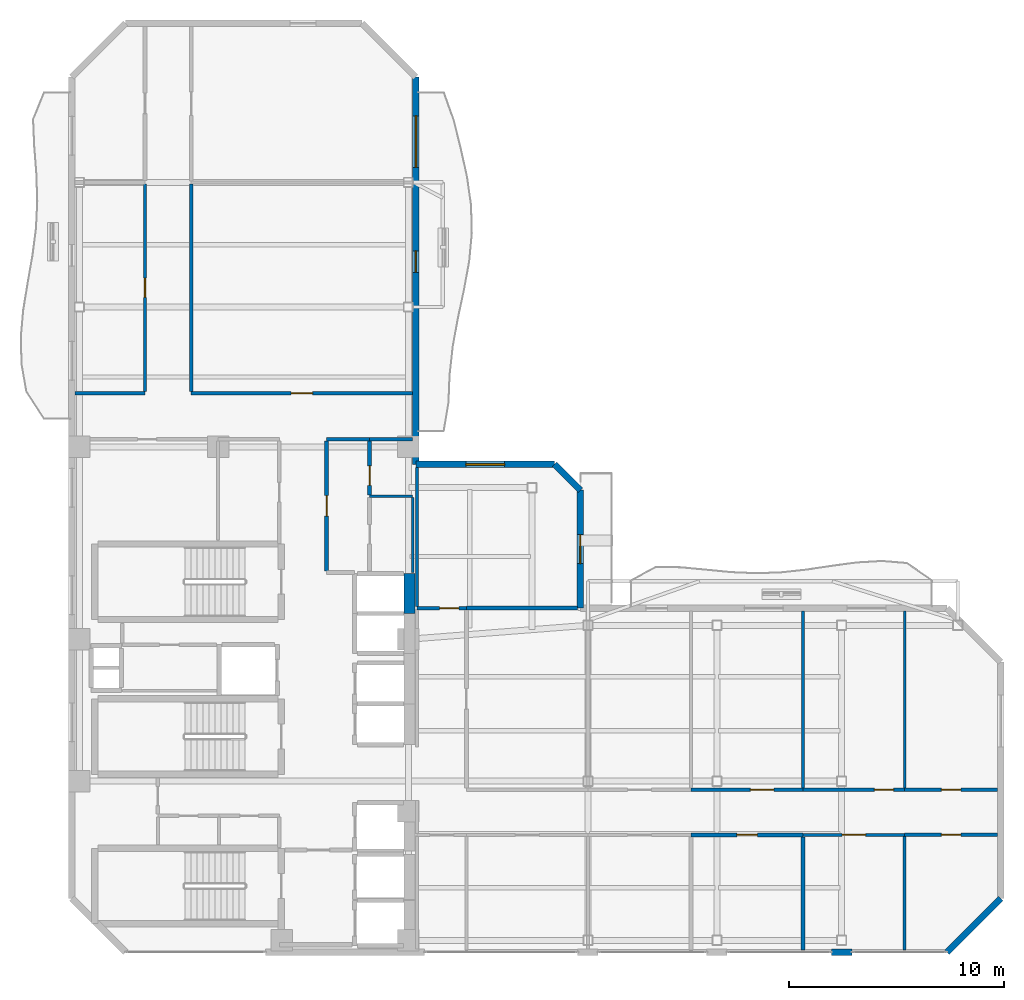
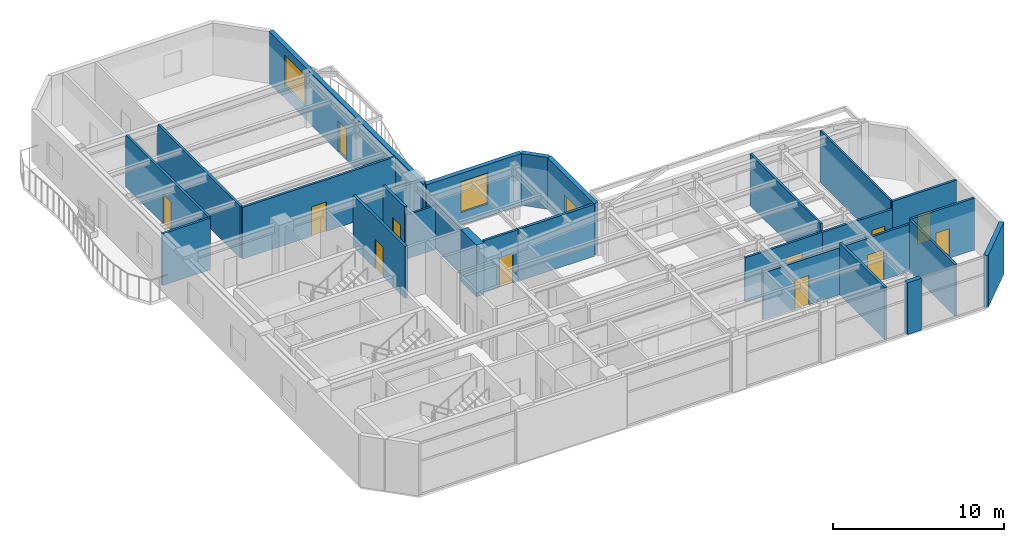
# One storey, part 11 of 15: 30 walls, 13 doors, 2 windows, 15 openings.
"""IFC4 building model written with IfcOpenShell, lengths in metres."""

from ifc_helpers import new_model, si_unit, direction, frame, frame_2d, origin, place, context, subcontext, project, spatial, rectangle, extrude, material, layer, layer_set, type_object, element, fill, save


model = new_model("IFC4")

# Units and contexts
model_context = context("Model", 3, precision=1e-05, world=origin(), true_north=direction((0.0, 1.0)))
body_context = subcontext(model_context, "Body", "Model", "MODEL_VIEW")
ifc_project = project(units=[si_unit("LENGTHUNIT", "METRE"), si_unit("AREAUNIT", "SQUARE_METRE"), si_unit("VOLUMEUNIT", "CUBIC_METRE"), si_unit("PLANEANGLEUNIT", "RADIAN"), si_unit("MASSUNIT", "GRAM", prefix="KILO")], contexts=[model_context])

# Site, building, storey
site_placement = place(None, origin())
site = spatial("IfcSite", under=ifc_project, at=site_placement, CompositionType="ELEMENT")
building_placement = place(site_placement, origin())
building = spatial("IfcBuilding", under=site, at=building_placement, Name="Mawjaban Terraces University", CompositionType="ELEMENT")
storey_placement = place(building_placement, frame((0.0, 0.0, 207.0)))
storey = spatial("IfcBuildingStorey", under=building, at=storey_placement, Name="L50", CompositionType="ELEMENT", Elevation=207.0)

# Walls
ifc_material_1 = material(Name="Acoustic masonry blockwork", Category="masonry")
ifc_layer_1 = layer(ifc_material_1, 0.179931640625)
ifc_layer_set_1 = layer_set([ifc_layer_1], Name="Acoustic masonry blockwork")
wall_type_1 = type_object("IfcWallType", Name="AcousticStudioWall_180", PredefinedType="PARTITIONING", material=ifc_layer_set_1)
wall_1_placement = place(storey_placement, frame((35.85009765625, 23.85009765625, 0.0), z_axis=(0.0, 0.0, 1.0), x_axis=(-1.0, 0.0, 0.0)))
element("IfcWall", 1, at=wall_1_placement, inside=storey, type_object=wall_type_1, Name="L50 Graduate Research Collaboration Studio Partition 13", PredefinedType="PARTITIONING", context=body_context, shape_type="SweptSolid", body=[
    extrude(rectangle(XDim=2.0, YDim=0.179931640625, at=frame_2d((1.0, 0.0))), origin(), (0.0, 0.0, 1.0), 3.138916015625),
])
wall_2_placement = place(storey_placement, frame((40.35009765625, 16.0, 0.0), z_axis=(0.0, 0.0, 1.0), x_axis=(1.0, 0.0, 0.0)))
element("IfcWall", 2, at=wall_2_placement, inside=storey, type_object=wall_type_1, Name="L50 Terrace Collaborative Study Room Partition 20", PredefinedType="PARTITIONING", context=body_context, shape_type="SweptSolid", body=[
    extrude(rectangle(XDim=5.15478515625, YDim=0.179931640625, at=frame_2d((2.577392578125, 0.0))), origin(), (0.0, 0.0, 1.0), 3.68994140625),
])

# Wall, opening, door
wall_3_placement = place(storey_placement, frame((50.7900390625, 5.449951171875, 0.0), z_axis=(0.0, 0.0, 1.0), x_axis=(1.0, 0.0, 0.0)))
wall_3 = element("IfcWall", 3, at=wall_3_placement, inside=storey, type_object=wall_type_1, Name="L50 South Shifted Academic Corridor Partition 23", PredefinedType="PARTITIONING", context=body_context, shape_type="SweptSolid", body=[
    extrude(rectangle(XDim=5.219970703125, YDim=0.179931640625, at=frame_2d((2.60986328125, 0.0))), origin(), (0.0, 0.0, 1.0), 3.343017578125),
])
opening_1_placement = place(wall_3_placement, frame((2.135009765625, 0.0, 0.0)))
opening_1 = element("IfcOpeningElement", 4, at=opening_1_placement, cuts=wall_3, Name="Opening ID-095", PredefinedType="OPENING", context=body_context, shape_type="SweptSolid", body=[
    extrude(rectangle(XDim=0.949951171875, YDim=2.10009765625, at=frame_2d((0.47509765625, 1.050048828125))), frame((0.0, 0.099853515625, 0.0), z_axis=(0.0, -1.0, 0.0), x_axis=(1.0, 0.0, 0.0)), (0.0, 0.0, 1.0), 0.199951171875),
])
ifc_material_2 = material(Name="Powder-coated steel frame and solid acoustic timber leaf", Category="steel")
door_type_1 = type_object("IfcDoorType", Name="StudioDoor_950x2100", OperationType="NOTDEFINED", PredefinedType="DOOR", material=ifc_material_2)
door_1_placement = place(opening_1_placement, origin())
door_1 = element("IfcDoor", 5, at=door_1_placement, inside=storey, type_object=door_type_1, Name="L50 Design Studio 6 Door", OperationType="SINGLE_SWING_LEFT", OverallHeight=2.10009765625, OverallWidth=0.949951171875, PredefinedType="DOOR", context=body_context, shape_type="SweptSolid", body=[
    extrude(rectangle(XDim=0.949951171875, YDim=2.10009765625, at=frame_2d((0.47509765625, 1.050048828125))), frame((0.0, 0.02490234375, 0.0), z_axis=(0.0, -1.0, 0.0), x_axis=(1.0, 0.0, 0.0)), (0.0, 0.0, 1.0), 0.050048828125),
])
fill(opening_1, door_1)

wall_4_placement = place(storey_placement, frame((33.85009765625, 17.735107421875, 0.0), z_axis=(0.0, 0.0, 1.0), x_axis=(0.0, 1.0, 0.0)))
wall_4 = element("IfcWall", 6, at=wall_4_placement, inside=storey, type_object=wall_type_1, Name="L50 Core North Lift Lobby Partition 41", PredefinedType="PARTITIONING", context=body_context, shape_type="SweptSolid", body=[
    extrude(rectangle(XDim=6.02978515625, YDim=0.179931640625, at=frame_2d((3.014892578125, 0.0))), origin(), (0.0, 0.0, 1.0), 3.68994140625),
])
opening_2_placement = place(wall_4_placement, frame((2.5400390625, 0.0, 0.0)))
opening_2 = element("IfcOpeningElement", 7, at=opening_2_placement, cuts=wall_4, Name="Opening ID-095", PredefinedType="OPENING", context=body_context, shape_type="SweptSolid", body=[
    extrude(rectangle(XDim=0.949951171875, YDim=2.10009765625, at=frame_2d((0.47509765625, 1.050048828125))), frame((0.0, 0.099853515625, 0.0), z_axis=(0.0, -1.0, 0.0), x_axis=(1.0, 0.0, 0.0)), (0.0, 0.0, 1.0), 0.199951171875),
])
door_2_placement = place(opening_2_placement, origin())
door_2 = element("IfcDoor", 8, at=door_2_placement, inside=storey, type_object=door_type_1, Name="L50 Graduate Research Collaboration Studio Door", OperationType="SINGLE_SWING_LEFT", OverallHeight=2.10009765625, OverallWidth=0.949951171875, PredefinedType="DOOR", context=body_context, shape_type="SweptSolid", body=[
    extrude(rectangle(XDim=0.949951171875, YDim=2.10009765625, at=frame_2d((0.47509765625, 1.050048828125))), frame((0.0, 0.02490234375, 0.0), z_axis=(0.0, -1.0, 0.0), x_axis=(1.0, 0.0, 0.0)), (0.0, 0.0, 1.0), 0.050048828125),
])
fill(opening_2, door_2)

wall_5_placement = place(storey_placement, frame((35.85009765625, 21.258056640625, 0.0), z_axis=(0.0, 0.0, 1.0), x_axis=(0.0, 1.0, 0.0)))
wall_5 = element("IfcWall", 9, at=wall_5_placement, inside=storey, type_object=wall_type_1, Name="L50 Graduate Research Collaboration Studio Partition 43", PredefinedType="PARTITIONING", context=body_context, shape_type="SweptSolid", body=[
    extrude(rectangle(XDim=2.5068359375, YDim=0.179931640625, at=frame_2d((1.25341796875, 0.0))), origin(), (0.0, 0.0, 1.0), 3.68994140625),
])
opening_3_placement = place(wall_5_placement, frame((0.4541015625, 0.0, 0.0)))
opening_3 = element("IfcOpeningElement", 10, at=opening_3_placement, cuts=wall_5, Name="Opening ID-090", PredefinedType="OPENING", context=body_context, shape_type="SweptSolid", body=[
    extrude(rectangle(XDim=0.89990234375, YDim=2.10009765625, at=frame_2d((0.449951171875, 1.050048828125))), frame((0.0, 0.099853515625, 0.0), z_axis=(0.0, -1.0, 0.0), x_axis=(1.0, 0.0, 0.0)), (0.0, 0.0, 1.0), 0.199951171875),
])
door_type_2 = type_object("IfcDoorType", Name="OfficeDoor_900x2100", OperationType="NOTDEFINED", PredefinedType="DOOR", material=ifc_material_2)
door_3_placement = place(opening_3_placement, origin())
door_3 = element("IfcDoor", 11, at=door_3_placement, inside=storey, type_object=door_type_2, Name="L50 Graduate Quiet Study Alcove Door", OperationType="SINGLE_SWING_RIGHT", OverallHeight=2.10009765625, OverallWidth=0.89990234375, PredefinedType="DOOR", context=body_context, shape_type="SweptSolid", body=[
    extrude(rectangle(XDim=0.89990234375, YDim=2.10009765625, at=frame_2d((0.449951171875, 1.050048828125))), frame((0.0, 0.02490234375, 0.0), z_axis=(0.0, -1.0, 0.0), x_axis=(1.0, 0.0, 0.0)), (0.0, 0.0, 1.0), 0.050048828125),
])
fill(opening_3, door_3)

# Walls
wall_6_placement = place(storey_placement, frame((56.010009765625, 0.090087890625, 0.0), z_axis=(0.0, 0.0, 1.0), x_axis=(0.0, 1.0, 0.0)))
element("IfcWall", 12, at=wall_6_placement, inside=storey, type_object=wall_type_1, Name="L50 Design Studio 6 Partition 55", PredefinedType="PARTITIONING", context=body_context, shape_type="SweptSolid", body=[
    extrude(rectangle(XDim=5.27490234375, YDim=0.179931640625, at=frame_2d((2.637451171875, 0.0))), origin(), (0.0, 0.0, 1.0), 3.68994140625),
])
ifc_material_3 = material(Name="Concrete C60/75", Category="concrete")
ifc_layer_2 = layer(ifc_material_3, 0.5)
ifc_layer_set_2 = layer_set([ifc_layer_2], Name="Concrete C60/75")
wall_type_2 = type_object("IfcWallType", Name="CoreShearWall_500", PredefinedType="SHEAR", material=ifc_layer_set_2)
wall_7_placement = place(storey_placement, frame((37.699951171875, 15.75, 0.0), z_axis=(0.0, 0.0, 1.0), x_axis=(0.0, 1.0, 0.0)))
element("IfcWall", 13, at=wall_7_placement, inside=storey, type_object=wall_type_2, Name="L50 Lift OL-2 Hoistway Wall East", PredefinedType="SHEAR", context=body_context, shape_type="SweptSolid", body=[
    extrude(rectangle(XDim=1.85009765625, YDim=0.5, at=frame_2d((0.925048828125, 0.0))), origin(), (0.0, 0.0, 1.0), 3.68994140625),
])
ifc_material_4 = material(Name="Fire-rated gypsum board on steel stud", Category="steel")
ifc_layer_3 = layer(ifc_material_4, 0.159912109375)
ifc_layer_set_3 = layer_set([ifc_layer_3], Name="Fire-rated gypsum board on steel stud")
wall_type_3 = type_object("IfcWallType", Name="CorridorPartition_160", PredefinedType="PARTITIONING", material=ifc_layer_set_3)
wall_8_placement = place(storey_placement, frame((25.39990234375, 26.0, 0.0), z_axis=(0.0, 0.0, 1.0), x_axis=(-1.0, 0.0, 0.0)))
element("IfcWall", 14, at=wall_8_placement, inside=storey, type_object=wall_type_3, Name="L50 North Core Cross-Corridor Partition 3", PredefinedType="PARTITIONING", context=body_context, shape_type="SweptSolid", body=[
    extrude(rectangle(XDim=3.2548828125, YDim=0.159912109375, at=frame_2d((1.62744140625, 0.0))), origin(), (0.0, 0.0, 1.0), 3.68994140625),
])
wall_9_placement = place(storey_placement, frame((37.85009765625, 23.85009765625, 0.0), z_axis=(0.0, 0.0, 1.0), x_axis=(-1.0, 0.0, 0.0)))
element("IfcWall", 15, at=wall_9_placement, inside=storey, type_object=wall_type_3, Name="L50 Graduate Quiet Study Alcove Partition 14", PredefinedType="PARTITIONING", context=body_context, shape_type="SweptSolid", body=[
    extrude(rectangle(XDim=2.0, YDim=0.159912109375, at=frame_2d((1.0, 0.0))), origin(), (0.0, 0.0, 1.0), 3.138916015625),
])

# Wall, opening, door
wall_10_placement = place(storey_placement, frame((37.85009765625, 26.0, 0.0), z_axis=(0.0, 0.0, 1.0), x_axis=(-1.0, 0.0, 0.0)))
wall_10 = element("IfcWall", 16, at=wall_10_placement, inside=storey, type_object=wall_type_3, Name="L50 North Core Cross-Corridor Partition 15", PredefinedType="PARTITIONING", context=body_context, shape_type="SweptSolid", body=[
    extrude(rectangle(XDim=10.300048828125, YDim=0.159912109375, at=frame_2d((5.14990234375, 0.0))), origin(), (0.0, 0.0, 1.0), 3.68994140625),
])
opening_4_placement = place(wall_10_placement, frame((4.64990234375, 0.0, 0.0)))
opening_4 = element("IfcOpeningElement", 17, at=opening_4_placement, cuts=wall_10, Name="Opening ID-100", PredefinedType="OPENING", context=body_context, shape_type="SweptSolid", body=[
    extrude(rectangle(XDim=1.0, YDim=2.10009765625, at=frame_2d((0.5, 1.050048828125))), frame((0.0, 0.08984375, 0.0), z_axis=(0.0, -1.0, 0.0), x_axis=(1.0, 0.0, 0.0)), (0.0, 0.0, 1.0), 0.179931640625),
])
door_type_3 = type_object("IfcDoorType", Name="ClassroomDoor_1000x2100", OperationType="NOTDEFINED", PredefinedType="DOOR", material=ifc_material_2)
door_4_placement = place(opening_4_placement, origin())
door_4 = element("IfcDoor", 18, at=door_4_placement, inside=storey, type_object=door_type_3, Name="L50 Classroom 13 Door", OperationType="SINGLE_SWING_RIGHT", OverallHeight=2.10009765625, OverallWidth=1.0, PredefinedType="DOOR", context=body_context, shape_type="SweptSolid", body=[
    extrude(rectangle(XDim=1.0, YDim=2.10009765625, at=frame_2d((0.5, 1.050048828125))), frame((0.0, 0.02490234375, 0.0), z_axis=(0.0, -1.0, 0.0), x_axis=(1.0, 0.0, 0.0)), (0.0, 0.0, 1.0), 0.050048828125),
])
fill(opening_4, door_4)

wall_11_placement = place(storey_placement, frame((40.35009765625, 16.0, 0.0), z_axis=(0.0, 0.0, 1.0), x_axis=(-1.0, 0.0, 0.0)))
wall_11 = element("IfcWall", 19, at=wall_11_placement, inside=storey, type_object=wall_type_3, Name="L50 South Spine Spur Link Partition 19", PredefinedType="PARTITIONING", context=body_context, shape_type="SweptSolid", body=[
    extrude(rectangle(XDim=2.300048828125, YDim=0.159912109375, at=frame_2d((1.14990234375, 0.0))), origin(), (0.0, 0.0, 1.0), 3.68994140625),
])
opening_5_placement = place(wall_11_placement, frame((0.35009765625, 0.0, 0.0)))
opening_5 = element("IfcOpeningElement", 20, at=opening_5_placement, cuts=wall_11, Name="Opening ID-090", PredefinedType="OPENING", context=body_context, shape_type="SweptSolid", body=[
    extrude(rectangle(XDim=0.89990234375, YDim=2.10009765625, at=frame_2d((0.449951171875, 1.050048828125))), frame((0.0, 0.08984375, 0.0), z_axis=(0.0, -1.0, 0.0), x_axis=(1.0, 0.0, 0.0)), (0.0, 0.0, 1.0), 0.179931640625),
])
door_5_placement = place(opening_5_placement, origin())
door_5 = element("IfcDoor", 21, at=door_5_placement, inside=storey, type_object=door_type_2, Name="L50 Terrace Collaborative Study Room Door", OperationType="SINGLE_SWING_LEFT", OverallHeight=2.10009765625, OverallWidth=0.89990234375, PredefinedType="DOOR", context=body_context, shape_type="SweptSolid", body=[
    extrude(rectangle(XDim=0.89990234375, YDim=2.10009765625, at=frame_2d((0.449951171875, 1.050048828125))), frame((0.0, 0.02490234375, 0.0), z_axis=(0.0, -1.0, 0.0), x_axis=(1.0, 0.0, 0.0)), (0.0, 0.0, 1.0), 0.050048828125),
])
fill(opening_5, door_5)

wall_12_placement = place(storey_placement, frame((60.72998046875, 5.449951171875, 0.0), z_axis=(0.0, 0.0, 1.0), x_axis=(1.0, 0.0, 0.0)))
wall_12 = element("IfcWall", 22, at=wall_12_placement, inside=storey, type_object=wall_type_3, Name="L50 South Shifted Academic Corridor Partition 27", PredefinedType="PARTITIONING", context=body_context, shape_type="SweptSolid", body=[
    extrude(rectangle(XDim=4.324951171875, YDim=0.159912109375, at=frame_2d((2.16259765625, 0.0))), origin(), (0.0, 0.0, 1.0), 3.68994140625),
])
opening_6_placement = place(wall_12_placement, frame((1.712890625, 0.0, 0.0)))
opening_6 = element("IfcOpeningElement", 23, at=opening_6_placement, cuts=wall_12, Name="Opening ID-090", PredefinedType="OPENING", context=body_context, shape_type="SweptSolid", body=[
    extrude(rectangle(XDim=0.89990234375, YDim=2.10009765625, at=frame_2d((0.449951171875, 1.050048828125))), frame((0.0, 0.08984375, 0.0), z_axis=(0.0, -1.0, 0.0), x_axis=(1.0, 0.0, 0.0)), (0.0, 0.0, 1.0), 0.179931640625),
])
door_6_placement = place(opening_6_placement, origin())
door_6 = element("IfcDoor", 24, at=door_6_placement, inside=storey, type_object=door_type_2, Name="L50 Student Tea Pantry 10 Door", OperationType="SINGLE_SWING_LEFT", OverallHeight=2.10009765625, OverallWidth=0.89990234375, PredefinedType="DOOR", context=body_context, shape_type="SweptSolid", body=[
    extrude(rectangle(XDim=0.89990234375, YDim=2.10009765625, at=frame_2d((0.449951171875, 1.050048828125))), frame((0.0, 0.02490234375, 0.0), z_axis=(0.0, -1.0, 0.0), x_axis=(1.0, 0.0, 0.0)), (0.0, 0.0, 1.0), 0.050048828125),
])
fill(opening_6, door_6)

wall_13_placement = place(storey_placement, frame((60.72998046875, 7.550048828125, 0.0), z_axis=(0.0, 0.0, 1.0), x_axis=(-1.0, 0.0, 0.0)))
wall_13 = element("IfcWall", 25, at=wall_13_placement, inside=storey, type_object=wall_type_3, Name="L50 South Shifted Academic Corridor Partition 28", PredefinedType="PARTITIONING", context=body_context, shape_type="SweptSolid", body=[
    extrude(rectangle(XDim=4.719970703125, YDim=0.159912109375, at=frame_2d((2.35986328125, 0.0))), origin(), (0.0, 0.0, 1.0), 3.138916015625),
])
opening_7_placement = place(wall_13_placement, frame((0.510009765625, 0.0, 0.0)))
opening_7 = element("IfcOpeningElement", 26, at=opening_7_placement, cuts=wall_13, Name="Opening ID-090", PredefinedType="OPENING", context=body_context, shape_type="SweptSolid", body=[
    extrude(rectangle(XDim=0.89990234375, YDim=2.10009765625, at=frame_2d((0.449951171875, 1.050048828125))), frame((0.0, 0.08984375, 0.0), z_axis=(0.0, -1.0, 0.0), x_axis=(1.0, 0.0, 0.0)), (0.0, 0.0, 1.0), 0.179931640625),
])
door_7_placement = place(opening_7_placement, origin())
door_7 = element("IfcDoor", 27, at=door_7_placement, inside=storey, type_object=door_type_2, Name="L50 Student Tea Pantry 9 Door", OperationType="SINGLE_SWING_RIGHT", OverallHeight=2.10009765625, OverallWidth=0.89990234375, PredefinedType="DOOR", context=body_context, shape_type="SweptSolid", body=[
    extrude(rectangle(XDim=0.89990234375, YDim=2.10009765625, at=frame_2d((0.449951171875, 1.050048828125))), frame((0.0, 0.02490234375, 0.0), z_axis=(0.0, -1.0, 0.0), x_axis=(1.0, 0.0, 0.0)), (0.0, 0.0, 1.0), 0.050048828125),
])
fill(opening_7, door_7)

wall_14_placement = place(storey_placement, frame((65.054931640625, 7.550048828125, 0.0), z_axis=(0.0, 0.0, 1.0), x_axis=(-1.0, 0.0, 0.0)))
wall_14 = element("IfcWall", 28, at=wall_14_placement, inside=storey, type_object=wall_type_3, Name="L50 South Shifted Academic Corridor Partition 29", PredefinedType="PARTITIONING", context=body_context, shape_type="SweptSolid", body=[
    extrude(rectangle(XDim=4.324951171875, YDim=0.159912109375, at=frame_2d((2.16259765625, 0.0))), origin(), (0.0, 0.0, 1.0), 3.68994140625),
])
opening_8_placement = place(wall_14_placement, frame((1.712890625, 0.0, 0.0)))
opening_8 = element("IfcOpeningElement", 29, at=opening_8_placement, cuts=wall_14, Name="Opening ID-090", PredefinedType="OPENING", context=body_context, shape_type="SweptSolid", body=[
    extrude(rectangle(XDim=0.89990234375, YDim=2.10009765625, at=frame_2d((0.449951171875, 1.050048828125))), frame((0.0, 0.08984375, 0.0), z_axis=(0.0, -1.0, 0.0), x_axis=(1.0, 0.0, 0.0)), (0.0, 0.0, 1.0), 0.179931640625),
])
door_8_placement = place(opening_8_placement, origin())
door_8 = element("IfcDoor", 30, at=door_8_placement, inside=storey, type_object=door_type_2, Name="L50 Faculty Office 11 Door", OperationType="SINGLE_SWING_RIGHT", OverallHeight=2.10009765625, OverallWidth=0.89990234375, PredefinedType="DOOR", context=body_context, shape_type="SweptSolid", body=[
    extrude(rectangle(XDim=0.89990234375, YDim=2.10009765625, at=frame_2d((0.449951171875, 1.050048828125))), frame((0.0, 0.02490234375, 0.0), z_axis=(0.0, -1.0, 0.0), x_axis=(1.0, 0.0, 0.0)), (0.0, 0.0, 1.0), 0.050048828125),
])
fill(opening_8, door_8)

wall_15_placement = place(storey_placement, frame((25.39990234375, 35.715087890625, 0.0), z_axis=(0.0, 0.0, 1.0), x_axis=(0.0, -1.0, 0.0)))
wall_15 = element("IfcWall", 31, at=wall_15_placement, inside=storey, type_object=wall_type_3, Name="L50 West Shifted Academic Corridor Partition 31", PredefinedType="PARTITIONING", context=body_context, shape_type="SweptSolid", body=[
    extrude(rectangle(XDim=9.64013671875, YDim=0.159912109375, at=frame_2d((4.820068359375, 0.0))), origin(), (0.0, 0.0, 1.0), 3.68994140625),
])
opening_9_placement = place(wall_15_placement, frame((4.3701171875, 0.0, 0.0)))
opening_9 = element("IfcOpeningElement", 32, at=opening_9_placement, cuts=wall_15, Name="Opening ID-090", PredefinedType="OPENING", context=body_context, shape_type="SweptSolid", body=[
    extrude(rectangle(XDim=0.89990234375, YDim=2.10009765625, at=frame_2d((0.449951171875, 1.050048828125))), frame((0.0, 0.08984375, 0.0), z_axis=(0.0, -1.0, 0.0), x_axis=(1.0, 0.0, 0.0)), (0.0, 0.0, 1.0), 0.179931640625),
])
door_9_placement = place(opening_9_placement, origin())
door_9 = element("IfcDoor", 33, at=door_9_placement, inside=storey, type_object=door_type_2, Name="L50 Departmental Office 12 Door", OperationType="SINGLE_SWING_LEFT", OverallHeight=2.10009765625, OverallWidth=0.89990234375, PredefinedType="DOOR", context=body_context, shape_type="SweptSolid", body=[
    extrude(rectangle(XDim=0.89990234375, YDim=2.10009765625, at=frame_2d((0.449951171875, 1.050048828125))), frame((0.0, 0.02490234375, 0.0), z_axis=(0.0, -1.0, 0.0), x_axis=(1.0, 0.0, 0.0)), (0.0, 0.0, 1.0), 0.050048828125),
])
fill(opening_9, door_9)

# Walls
wall_16_placement = place(storey_placement, frame((27.550048828125, 26.074951171875, 0.0), z_axis=(0.0, 0.0, 1.0), x_axis=(0.0, 1.0, 0.0)))
element("IfcWall", 34, at=wall_16_placement, inside=storey, type_object=wall_type_3, Name="L50 West Shifted Academic Corridor Partition 35", PredefinedType="PARTITIONING", context=body_context, shape_type="SweptSolid", body=[
    extrude(rectangle(XDim=9.656982421875, YDim=0.159912109375, at=frame_2d((4.82861328125, 0.0))), origin(), (0.0, 0.0, 1.0), 3.68994140625),
])
ifc_material_5 = material(Name="Insulated terracotta rainscreen on concrete backup C40/50", Category="masonry")
ifc_layer_4 = layer(ifc_material_5, 0.300048828125)
ifc_layer_set_4 = layer_set([ifc_layer_4], Name="Insulated terracotta rainscreen on concrete backup C40/50")
wall_type_4 = type_object("IfcWallType", Name="ExtTerracottaWall_300", PredefinedType="SOLIDWALL", material=ifc_layer_set_4)
wall_17_placement = place(storey_placement, frame((57.324951171875, 0.0, 0.0), z_axis=(0.0, 0.0, 1.0), x_axis=(1.0, 0.0, 0.0)))
element("IfcWall", 35, at=wall_17_placement, inside=storey, type_object=wall_type_4, Name="L50 Exterior Terracotta Pier Wall 1.4", PredefinedType="SOLIDWALL", context=body_context, shape_type="SweptSolid", body=[
    extrude(rectangle(XDim=0.949951171875, YDim=0.300048828125, at=frame_2d((0.47509765625, 0.0))), origin(), (0.0, 0.0, 1.0), 3.68994140625),
])
wall_18_placement = place(storey_placement, frame((62.699951171875, 0.0, 0.0), z_axis=(0.0, 0.0, 1.0), x_axis=(0.707106781187, 0.707106781187, 0.0)))
element("IfcWall", 36, at=wall_18_placement, inside=storey, type_object=wall_type_4, Name="L50 Exterior Terracotta Wall 2", PredefinedType="SOLIDWALL", context=body_context, shape_type="SweptSolid", body=[
    extrude(rectangle(XDim=3.53564453125, YDim=0.300048828125, at=frame_2d((1.767822265625, 0.0))), origin(), (0.0, 0.0, 1.0), 3.68994140625),
])

# Wall, opening, door
wall_19_placement = place(storey_placement, frame((45.64990234375, 16.0, 0.0), z_axis=(0.0, 0.0, 1.0), x_axis=(0.0, 1.0, 0.0)))
wall_19 = element("IfcWall", 37, at=wall_19_placement, inside=storey, type_object=wall_type_4, Name="L50 Exterior Terracotta Wall 6", PredefinedType="SOLIDWALL", context=body_context, shape_type="SweptSolid", body=[
    extrude(rectangle(XDim=5.48291015625, YDim=0.300048828125, at=frame_2d((2.741455078125, 0.0))), origin(), (0.0, 0.0, 1.0), 3.68994140625),
])
opening_10_placement = place(wall_19_placement, frame((2.06689453125, 0.0, 0.0)))
opening_10 = element("IfcOpeningElement", 38, at=opening_10_placement, cuts=wall_19, Name="Opening TD-135", PredefinedType="OPENING", context=body_context, shape_type="SweptSolid", body=[
    extrude(rectangle(XDim=1.35009765625, YDim=2.199951171875, at=frame_2d((0.675048828125, 1.10009765625))), frame((0.0, 0.159912109375, 0.0), z_axis=(0.0, -1.0, 0.0), x_axis=(1.0, 0.0, 0.0)), (0.0, 0.0, 1.0), 0.320068359375),
])
ifc_material_6 = material(Name="Thermally broken anodised aluminium and laminated safety glass", Category="aluminium")
door_type_4 = type_object("IfcDoorType", Name="TerraceGlazedDoor_1350x2200", OperationType="NOTDEFINED", PredefinedType="DOOR", material=ifc_material_6)
door_10_placement = place(opening_10_placement, origin())
door_10 = element("IfcDoor", 39, at=door_10_placement, inside=storey, type_object=door_type_4, Name="L50 Terrace Access Door TER-L50-CLIMB", OperationType="SINGLE_SWING_RIGHT", OverallHeight=2.199951171875, OverallWidth=1.35009765625, PredefinedType="DOOR", context=body_context, shape_type="SweptSolid", body=[
    extrude(rectangle(XDim=1.35009765625, YDim=2.199951171875, at=frame_2d((0.675048828125, 1.10009765625))), frame((0.0, 0.02490234375, 0.0), z_axis=(0.0, -1.0, 0.0), x_axis=(1.0, 0.0, 0.0)), (0.0, 0.0, 1.0), 0.050048828125),
])
fill(opening_10, door_10)

# Wall
wall_20_placement = place(storey_placement, frame((45.64990234375, 21.48291015625, 0.0), z_axis=(0.0, 0.0, 1.0), x_axis=(-0.707034851297, 0.707178703759, 0.0)))
element("IfcWall", 40, at=wall_20_placement, inside=storey, type_object=wall_type_4, Name="L50 Exterior Terracotta Wall 7", PredefinedType="SOLIDWALL", context=body_context, shape_type="SweptSolid", body=[
    extrude(rectangle(XDim=1.697265625, YDim=0.300048828125, at=frame_2d((0.8486328125, 0.0))), origin(), (0.0, 0.0, 1.0), 3.68994140625),
])

# Wall, opening, window
wall_21_placement = place(storey_placement, frame((44.449951171875, 22.68310546875, 0.0), z_axis=(0.0, 0.0, 1.0), x_axis=(-1.0, 0.0, 0.0)))
wall_21 = element("IfcWall", 41, at=wall_21_placement, inside=storey, type_object=wall_type_4, Name="L50 Exterior Terracotta Wall 8", PredefinedType="SOLIDWALL", context=body_context, shape_type="SweptSolid", body=[
    extrude(rectangle(XDim=6.449951171875, YDim=0.300048828125, at=frame_2d((3.22509765625, 0.0))), origin(), (0.0, 0.0, 1.0), 3.68994140625),
])
opening_11_placement = place(wall_21_placement, frame((2.324951171875, 0.0, 0.89990234375)))
opening_11 = element("IfcOpeningElement", 42, at=opening_11_placement, cuts=wall_21, Name="Opening W-10", PredefinedType="OPENING", context=body_context, shape_type="SweptSolid", body=[
    extrude(rectangle(XDim=1.800048828125, YDim=2.199951171875, at=frame_2d((0.89990234375, 1.10009765625))), frame((0.0, 0.159912109375, 0.0), z_axis=(0.0, -1.0, 0.0), x_axis=(1.0, 0.0, 0.0)), (0.0, 0.0, 1.0), 0.320068359375),
])
ifc_material_7 = material(Name="Low-E solar-control double glazing in thermally broken aluminium frame", Category="aluminium")
window_type_1 = type_object("IfcWindowType", Name="Win_1800x2200", PartitioningType="SINGLE_PANEL", PredefinedType="WINDOW", material=ifc_material_7)
window_1_placement = place(opening_11_placement, origin())
window_1 = element("IfcWindow", 43, at=window_1_placement, inside=storey, type_object=window_type_1, Name="L50 Facade Window 8.1", OverallHeight=2.199951171875, OverallWidth=1.800048828125, PartitioningType="SINGLE_PANEL", PredefinedType="WINDOW", context=body_context, shape_type="SweptSolid", body=[
    extrude(rectangle(XDim=1.800048828125, YDim=2.199951171875, at=frame_2d((0.89990234375, 1.10009765625))), frame((0.0, 0.030029296875, 0.0), z_axis=(0.0, -1.0, 0.0), x_axis=(1.0, 0.0, 0.0)), (0.0, 0.0, 1.0), 0.06005859375),
])
fill(opening_11, window_1)

# Wall, openings, door, window
wall_22_placement = place(storey_placement, frame((38.0, 22.68310546875, 0.0), z_axis=(0.0, 0.0, 1.0), x_axis=(0.0, 1.0, 0.0)))
wall_22 = element("IfcWall", 44, at=wall_22_placement, inside=storey, type_object=wall_type_4, Name="L50 Exterior Terracotta Wall 9", PredefinedType="SOLIDWALL", context=body_context, shape_type="SweptSolid", body=[
    extrude(rectangle(XDim=18.016845703125, YDim=0.300048828125, at=frame_2d((9.00830078125, 0.0))), origin(), (0.0, 0.0, 1.0), 3.68994140625),
])
opening_12_placement = place(wall_22_placement, frame((8.93408203125, 0.0, 0.0)))
opening_12 = element("IfcOpeningElement", 45, at=opening_12_placement, cuts=wall_22, Name="Opening BD-100", PredefinedType="OPENING", context=body_context, shape_type="SweptSolid", body=[
    extrude(rectangle(XDim=1.0, YDim=2.199951171875, at=frame_2d((0.5, 1.10009765625))), frame((0.0, 0.159912109375, 0.0), z_axis=(0.0, -1.0, 0.0), x_axis=(1.0, 0.0, 0.0)), (0.0, 0.0, 1.0), 0.320068359375),
])
opening_13_placement = place(wall_22_placement, frame((13.81396484375, 0.0, 0.89990234375)))
opening_13 = element("IfcOpeningElement", 46, at=opening_13_placement, cuts=wall_22, Name="Opening W-11", PredefinedType="OPENING", context=body_context, shape_type="SweptSolid", body=[
    extrude(rectangle(XDim=2.39990234375, YDim=2.199951171875, at=frame_2d((1.199951171875, 1.10009765625))), frame((0.0, 0.159912109375, 0.0), z_axis=(0.0, -1.0, 0.0), x_axis=(1.0, 0.0, 0.0)), (0.0, 0.0, 1.0), 0.320068359375),
])
door_type_5 = type_object("IfcDoorType", Name="BalconyGlazedDoor_1000x2200", OperationType="NOTDEFINED", PredefinedType="DOOR", material=ifc_material_6)
door_11_placement = place(opening_12_placement, origin())
door_11 = element("IfcDoor", 47, at=door_11_placement, inside=storey, type_object=door_type_5, Name="L50 Balcony Access Door inner_east", OperationType="SINGLE_SWING_LEFT", OverallHeight=2.199951171875, OverallWidth=1.0, PredefinedType="DOOR", context=body_context, shape_type="SweptSolid", body=[
    extrude(rectangle(XDim=1.0, YDim=2.199951171875, at=frame_2d((0.5, 1.10009765625))), frame((0.0, 0.02490234375, 0.0), z_axis=(0.0, -1.0, 0.0), x_axis=(1.0, 0.0, 0.0)), (0.0, 0.0, 1.0), 0.050048828125),
])
fill(opening_12, door_11)
window_type_2 = type_object("IfcWindowType", Name="Win_2400x2200", PartitioningType="SINGLE_PANEL", PredefinedType="WINDOW", material=ifc_material_7)
window_2_placement = place(opening_13_placement, origin())
window_2 = element("IfcWindow", 48, at=window_2_placement, inside=storey, type_object=window_type_2, Name="L50 Facade Window 9.3", OverallHeight=2.199951171875, OverallWidth=2.39990234375, PartitioningType="SINGLE_PANEL", PredefinedType="WINDOW", context=body_context, shape_type="SweptSolid", body=[
    extrude(rectangle(XDim=2.39990234375, YDim=2.199951171875, at=frame_2d((1.199951171875, 1.10009765625))), frame((0.0, 0.030029296875, 0.0), z_axis=(0.0, -1.0, 0.0), x_axis=(1.0, 0.0, 0.0)), (0.0, 0.0, 1.0), 0.06005859375),
])
fill(opening_13, window_2)

# Wall, opening, door
ifc_material_8 = material(Name="Moisture-resistant gypsum board on steel stud", Category="steel")
ifc_layer_5 = layer(ifc_material_8, 0.14501953125)
ifc_layer_set_5 = layer_set([ifc_layer_5], Name="Moisture-resistant gypsum board on steel stud")
wall_type_5 = type_object("IfcWallType", Name="LabPartition_145", PredefinedType="PARTITIONING", material=ifc_layer_set_5)
wall_23_placement = place(storey_placement, frame((56.010009765625, 5.449951171875, 0.0), z_axis=(0.0, 0.0, 1.0), x_axis=(1.0, 0.0, 0.0)))
wall_23 = element("IfcWall", 49, at=wall_23_placement, inside=storey, type_object=wall_type_5, Name="L50 South Shifted Academic Corridor Partition 25", PredefinedType="PARTITIONING", context=body_context, shape_type="SweptSolid", body=[
    extrude(rectangle(XDim=4.719970703125, YDim=0.14501953125, at=frame_2d((2.35986328125, 0.0))), origin(), (0.0, 0.0, 1.0), 3.343017578125),
])
opening_14_placement = place(wall_23_placement, frame((1.81005859375, 0.0, 0.0)))
opening_14 = element("IfcOpeningElement", 50, at=opening_14_placement, cuts=wall_23, Name="Opening ID-110", PredefinedType="OPENING", context=body_context, shape_type="SweptSolid", body=[
    extrude(rectangle(XDim=1.10009765625, YDim=2.14990234375, at=frame_2d((0.550048828125, 1.074951171875))), frame((0.0, 0.08251953125, 0.0), z_axis=(0.0, -1.0, 0.0), x_axis=(1.0, 0.0, 0.0)), (0.0, 0.0, 1.0), 0.1650390625),
])
door_type_6 = type_object("IfcDoorType", Name="LabDoor_1100x2150", OperationType="NOTDEFINED", PredefinedType="DOOR", material=ifc_material_2)
door_12_placement = place(opening_14_placement, origin())
door_12 = element("IfcDoor", 51, at=door_12_placement, inside=storey, type_object=door_type_6, Name="L50 Teaching Laboratory 8 Door", OperationType="SINGLE_SWING_LEFT", OverallHeight=2.14990234375, OverallWidth=1.10009765625, PredefinedType="DOOR", context=body_context, shape_type="SweptSolid", body=[
    extrude(rectangle(XDim=1.10009765625, YDim=2.14990234375, at=frame_2d((0.550048828125, 1.074951171875))), frame((0.0, 0.02490234375, 0.0), z_axis=(0.0, -1.0, 0.0), x_axis=(1.0, 0.0, 0.0)), (0.0, 0.0, 1.0), 0.050048828125),
])
fill(opening_14, door_12)

wall_24_placement = place(storey_placement, frame((56.010009765625, 7.550048828125, 0.0), z_axis=(0.0, 0.0, 1.0), x_axis=(-1.0, 0.0, 0.0)))
wall_24 = element("IfcWall", 52, at=wall_24_placement, inside=storey, type_object=wall_type_5, Name="L50 South Shifted Academic Corridor Partition 26", PredefinedType="PARTITIONING", context=body_context, shape_type="SweptSolid", body=[
    extrude(rectangle(XDim=5.219970703125, YDim=0.14501953125, at=frame_2d((2.60986328125, 0.0))), origin(), (0.0, 0.0, 1.0), 3.138916015625),
])
opening_15_placement = place(wall_24_placement, frame((1.360107421875, 0.0, 0.0)))
opening_15 = element("IfcOpeningElement", 53, at=opening_15_placement, cuts=wall_24, Name="Opening ID-110", PredefinedType="OPENING", context=body_context, shape_type="SweptSolid", body=[
    extrude(rectangle(XDim=1.10009765625, YDim=2.14990234375, at=frame_2d((0.550048828125, 1.074951171875))), frame((0.0, 0.08251953125, 0.0), z_axis=(0.0, -1.0, 0.0), x_axis=(1.0, 0.0, 0.0)), (0.0, 0.0, 1.0), 0.1650390625),
])
door_13_placement = place(opening_15_placement, origin())
door_13 = element("IfcDoor", 54, at=door_13_placement, inside=storey, type_object=door_type_6, Name="L50 Computational Laboratory 7 Door", OperationType="SINGLE_SWING_RIGHT", OverallHeight=2.14990234375, OverallWidth=1.10009765625, PredefinedType="DOOR", context=body_context, shape_type="SweptSolid", body=[
    extrude(rectangle(XDim=1.10009765625, YDim=2.14990234375, at=frame_2d((0.550048828125, 1.074951171875))), frame((0.0, 0.02490234375, 0.0), z_axis=(0.0, -1.0, 0.0), x_axis=(1.0, 0.0, 0.0)), (0.0, 0.0, 1.0), 0.050048828125),
])
fill(opening_15, door_13)

# Walls
wall_25_placement = place(storey_placement, frame((56.010009765625, 7.625, 0.0), z_axis=(0.0, 0.0, 1.0), x_axis=(0.0, 1.0, 0.0)))
element("IfcWall", 55, at=wall_25_placement, inside=storey, type_object=wall_type_5, Name="L50 Computational Laboratory 7 Partition 56", PredefinedType="PARTITIONING", context=body_context, shape_type="SweptSolid", body=[
    extrude(rectangle(XDim=8.22998046875, YDim=0.14501953125, at=frame_2d((4.114990234375, 0.0))), origin(), (0.0, 0.0, 1.0), 3.68994140625),
])
wall_26_placement = place(storey_placement, frame((60.72998046875, 0.090087890625, 0.0), z_axis=(0.0, 0.0, 1.0), x_axis=(0.0, 1.0, 0.0)))
element("IfcWall", 56, at=wall_26_placement, inside=storey, type_object=wall_type_5, Name="L50 Teaching Laboratory 8 Partition 57", PredefinedType="PARTITIONING", context=body_context, shape_type="SweptSolid", body=[
    extrude(rectangle(XDim=5.284912109375, YDim=0.14501953125, at=frame_2d((2.642578125, 0.0))), origin(), (0.0, 0.0, 1.0), 3.68994140625),
])
ifc_material_9 = material(Name="Gypsum plasterboard on steel stud", Category="steel")
ifc_layer_6 = layer(ifc_material_9, 0.125)
ifc_layer_set_6 = layer_set([ifc_layer_6], Name="Gypsum plasterboard on steel stud")
wall_type_6 = type_object("IfcWallType", Name="OfficePartition_125", PredefinedType="PARTITIONING", material=ifc_layer_set_6)
wall_27_placement = place(storey_placement, frame((35.85009765625, 21.199951171875, 0.0), z_axis=(0.0, 0.0, 1.0), x_axis=(1.0, 0.0, 0.0)))
element("IfcWall", 57, at=wall_27_placement, inside=storey, type_object=wall_type_6, Name="L50 Graduate Quiet Study Alcove Partition 12", PredefinedType="PARTITIONING", context=body_context, shape_type="SweptSolid", body=[
    extrude(rectangle(XDim=2.0, YDim=0.125, at=frame_2d((1.0, 0.0))), origin(), (0.0, 0.0, 1.0), 3.138916015625),
])
wall_28_placement = place(storey_placement, frame((37.85009765625, 17.64990234375, 0.0), z_axis=(0.0, 0.0, 1.0), x_axis=(0.0, 1.0, 0.0)))
element("IfcWall", 58, at=wall_28_placement, inside=storey, type_object=wall_type_6, Name="L50 Research Instrument Store Partition 44", PredefinedType="PARTITIONING", context=body_context, shape_type="SweptSolid", body=[
    extrude(rectangle(XDim=3.4921875, YDim=0.125, at=frame_2d((1.74609375, 0.0))), origin(), (0.0, 0.0, 1.0), 3.138916015625),
])
wall_29_placement = place(storey_placement, frame((38.050048828125, 22.5380859375, 0.0), z_axis=(0.0, 0.0, 1.0), x_axis=(0.0, -1.0, 0.0)))
element("IfcWall", 59, at=wall_29_placement, inside=storey, type_object=wall_type_6, Name="L50 Terrace Collaborative Study Room Partition 48", PredefinedType="PARTITIONING", context=body_context, shape_type="SweptSolid", body=[
    extrude(rectangle(XDim=6.463134765625, YDim=0.125, at=frame_2d((3.2314453125, 0.0))), origin(), (0.0, 0.0, 1.0), 3.138916015625),
])
wall_30_placement = place(storey_placement, frame((60.72998046875, 7.625, 0.0), z_axis=(0.0, 0.0, 1.0), x_axis=(0.0, 1.0, 0.0)))
element("IfcWall", 60, at=wall_30_placement, inside=storey, type_object=wall_type_6, Name="L50 Student Tea Pantry 9 Partition 58", PredefinedType="PARTITIONING", context=body_context, shape_type="SweptSolid", body=[
    extrude(rectangle(XDim=8.22998046875, YDim=0.125, at=frame_2d((4.114990234375, 0.0))), origin(), (0.0, 0.0, 1.0), 3.68994140625),
])

save(model, "model.ifc")
